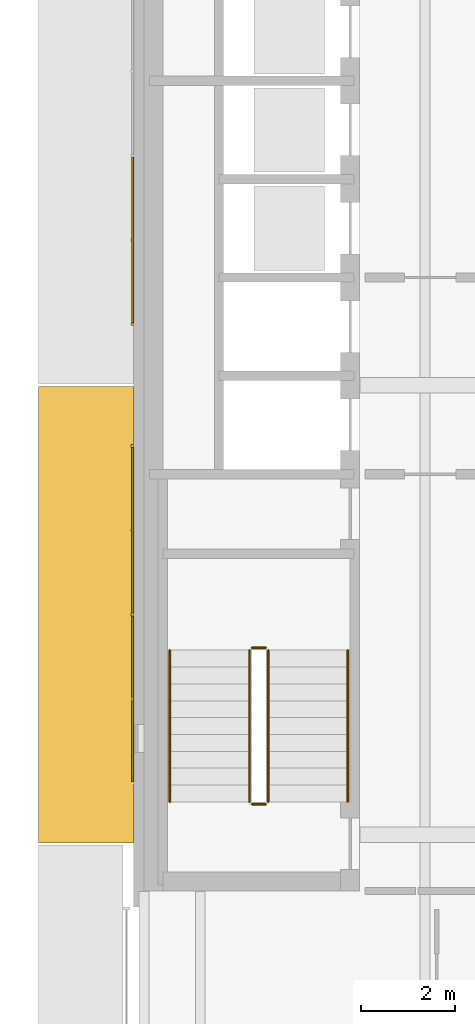
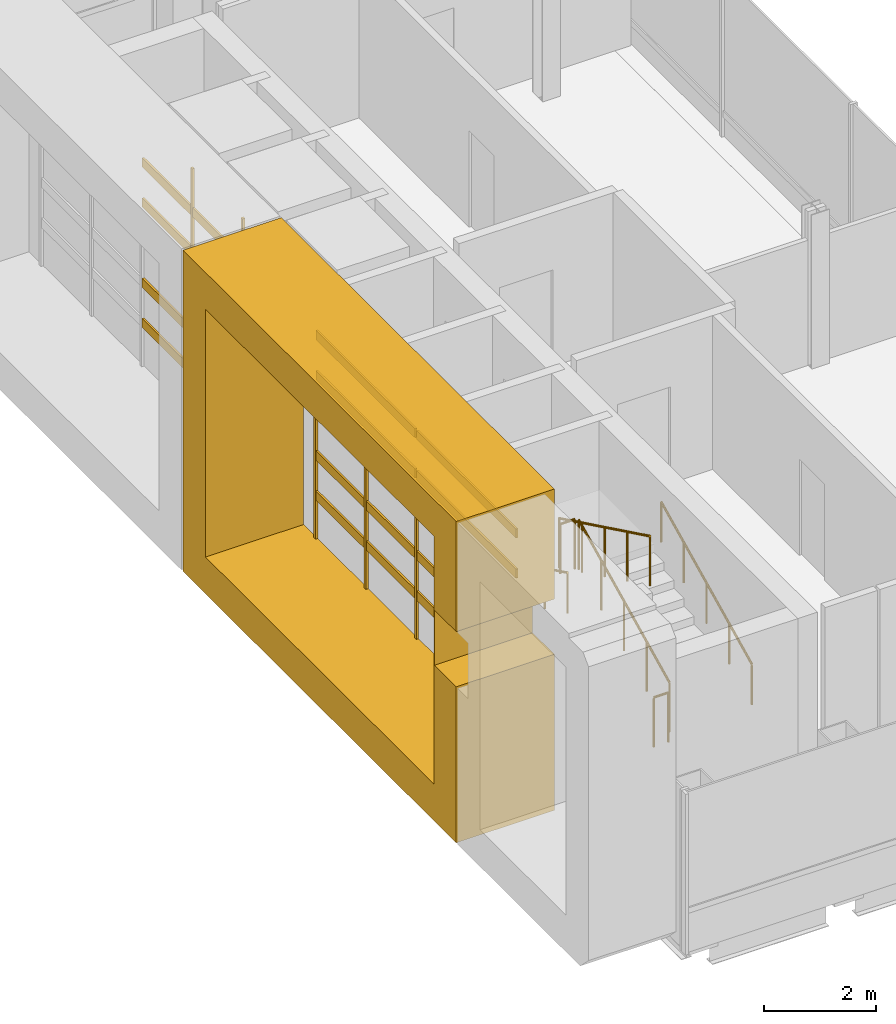
# One storey, part 15 of 21: 18 coverings, 6 railings.
"""IFC4 building model written with IfcOpenShell, lengths in metres."""

import ifcopenshell
import ifcopenshell.guid

model = None  # the IFC model being written
_history = None  # IfcOwnerHistory: only IFC2X3 demands one
_inside = {}  # id of a spatial element -> (the spatial element, [elements in it])
_under = {}  # id of a project, library or spatial element -> (it, [spatial elements below it])
_declared = {}  # id of a project -> (the project, [libraries it declares])
_typed = {}  # id of a type object -> (the type object, [elements of that type])
_made_of = {}  # id of a material, layer set ... -> (it, [elements and type objects made of it])


def new_model(schema):
    """Start an empty IFC model of exactly this schema.

    Asked for "IFC4X3", IfcOpenShell would pick the latest addendum, in which some entities
    have other attributes; the version numbers below select the first issue.
    IFC2X3 requires an IfcOwnerHistory on every rooted entity: one is made here for all.
    """
    global model, _history
    if schema == "IFC4X3":
        model = ifcopenshell.file(schema_version=(4, 3, 0, 0))
    else:
        model = ifcopenshell.file(schema=schema)
    _inside.clear()
    _under.clear()
    _declared.clear()
    _typed.clear()
    _made_of.clear()
    _history = None
    if model.schema == "IFC2X3":
        org = make("IfcOrganization", Name="unknown")
        user = make(
            "IfcPersonAndOrganization",
            ThePerson=make("IfcPerson", FamilyName="unknown"),
            TheOrganization=org,
        )
        app = make(
            "IfcApplication",
            ApplicationDeveloper=org,
            Version="unknown",
            ApplicationFullName="unknown",
            ApplicationIdentifier="unknown",
        )
        _history = make(
            "IfcOwnerHistory",
            OwningUser=user,
            OwningApplication=app,
            ChangeAction="ADDED",
            CreationDate=0,
        )
    return model


def make(cls, **values):
    """One entity of the class cls with the attributes given. An attribute that is None is left unset."""
    return model.create_entity(
        cls, **{name: value for name, value in values.items() if value is not None}
    )


def rooted(cls, **values):
    """An entity with a GlobalId (a new one), such as an element, a storey or a relation."""
    return make(cls, GlobalId=ifcopenshell.guid.new(), OwnerHistory=_history, **values)


def si_unit(unit_type, name, prefix=None):
    """IfcSIUnit, for example si_unit("LENGTHUNIT", "METRE", prefix="MILLI")."""
    return make("IfcSIUnit", UnitType=unit_type, Prefix=prefix, Name=name)


def assignment(units):
    """IfcUnitAssignment: the units of a project."""
    return None if units is None else make("IfcUnitAssignment", Units=units)


def point(xyz):
    """IfcCartesianPoint."""
    return None if xyz is None else make("IfcCartesianPoint", Coordinates=xyz)


def direction(xyz):
    """IfcDirection."""
    return None if xyz is None else make("IfcDirection", DirectionRatios=xyz)


def frame(location, z_axis=None, x_axis=None):
    """IfcAxis2Placement3D, a coordinate frame: its origin and axes. An axis left out is left unset."""
    return make(
        "IfcAxis2Placement3D",
        Location=point(location),
        Axis=direction(z_axis),
        RefDirection=direction(x_axis),
    )


def frame_2d(location, x_axis=None):
    """IfcAxis2Placement2D, a coordinate frame in the plane: its origin and x axis."""
    return make(
        "IfcAxis2Placement2D", Location=point(location), RefDirection=direction(x_axis)
    )


def origin():
    """The frame at (0, 0, 0) with its axes left unset."""
    return frame((0.0, 0.0, 0.0))


def origin_2d():
    """The frame at (0, 0) in the plane with its x axis left unset."""
    return frame_2d((0.0, 0.0))


def place(relative_to, where):
    """IfcLocalPlacement: puts the frame where relative to a parent placement (None: the world)."""
    return make(
        "IfcLocalPlacement", PlacementRelTo=relative_to, RelativePlacement=where
    )


def context(
    kind, dimensions, precision=None, world=None, true_north=None, identifier=None
):
    """IfcGeometricRepresentationContext, for example the 3D "Model" context."""
    return make(
        "IfcGeometricRepresentationContext",
        ContextIdentifier=identifier,
        ContextType=kind,
        CoordinateSpaceDimension=dimensions,
        Precision=precision,
        WorldCoordinateSystem=world,
        TrueNorth=true_north,
    )


def subcontext(parent, identifier, kind, view, scale=None):
    """IfcGeometricRepresentationSubContext, for example "Body" below "Model"."""
    return make(
        "IfcGeometricRepresentationSubContext",
        ContextIdentifier=identifier,
        ContextType=kind,
        ParentContext=parent,
        TargetScale=scale,
        TargetView=view,
    )


def project(units=None, contexts=None):
    """IfcProject with its units and contexts."""
    return rooted(
        "IfcProject",
        Name="project",
        RepresentationContexts=contexts,
        UnitsInContext=assignment(units),
    )


def spatial(cls, under=None, at=None, **own):
    """A site, building, storey or space (cls), placed at a placement, below another one or the project."""
    s = rooted(cls, ObjectPlacement=at, **own)
    if under is not None:
        _under.setdefault(under.id(), (under, []))[1].append(s)
    return s


def polyline(points):
    """IfcPolyline through the points."""
    return make("IfcPolyline", Points=[point(p) for p in points])


def profile(cls, at=None, kind="AREA", **sizes):
    """A parametric profile (cls). Its sizes go by their IFC names, for example OverallWidth=200.0."""
    return make(cls, ProfileType=kind, Position=at, **sizes)


def rectangle(**sizes):
    """IfcRectangleProfileDef."""
    return profile("IfcRectangleProfileDef", **sizes)


def circle(**sizes):
    """IfcCircleProfileDef."""
    return profile("IfcCircleProfileDef", **sizes)


def outline(outer, holes=None, kind="AREA"):
    """IfcArbitraryClosedProfileDef: a profile drawn as a closed curve; with holes, ...WithVoids."""
    if holes is None:
        return make("IfcArbitraryClosedProfileDef", ProfileType=kind, OuterCurve=outer)
    return make(
        "IfcArbitraryProfileDefWithVoids",
        ProfileType=kind,
        OuterCurve=outer,
        InnerCurves=holes,
    )


def extrude(swept, where, along, depth):
    """IfcExtrudedAreaSolid: the profile swept, set in the frame where, extruded along a direction by depth."""
    return make(
        "IfcExtrudedAreaSolid",
        SweptArea=swept,
        Position=where,
        ExtrudedDirection=direction(along),
        Depth=depth,
    )


def shape(context_of_items, identifier, shape_type, items):
    """IfcShapeRepresentation: the items that make up one representation, for example the "Body"."""
    return make(
        "IfcShapeRepresentation",
        ContextOfItems=context_of_items,
        RepresentationIdentifier=identifier,
        RepresentationType=shape_type,
        Items=items,
    )


def material(Name=None, Category=None):
    """IfcMaterial."""
    return make("IfcMaterial", Name=Name, Category=Category)


def made_of(thing, what):
    """Note that an element or type object is made of a material, layer set ...; save() writes the relation."""
    if what is not None:
        _made_of.setdefault(what.id(), (what, []))[1].append(thing)
    return thing


def type_object(cls, material=None, **own):
    """A type object (cls), such as IfcWallType, which elements share."""
    return made_of(rooted(cls, **own), material)


def element(
    cls,
    number,
    at=None,
    inside=None,
    cuts=None,
    type_object=None,
    material=None,
    context=None,
    identifier="Body",
    shape_type=None,
    held_by="IfcProductDefinitionShape",
    body=None,
    shapes=None,
    **own,
):
    """One element of the class cls, such as IfcWall. Its Tag is "e" and its number.

    at: its placement. inside: the storey or other place that contains it. cuts: it is an
    opening in that element (IfcRelVoidsElement). A single representation is given by context,
    identifier, shape_type and body (its items); several are given by shapes. held_by: the class
    of the entity that holds the representations. save() writes the other relations.
    """
    e = rooted(cls, Tag="e%d" % number, ObjectPlacement=at, **own)
    if body is not None:
        shapes = [shape(context, identifier, shape_type, body)]
    if shapes is not None:
        e.Representation = make(held_by, Representations=shapes)
    if inside is not None:
        _inside.setdefault(inside.id(), (inside, []))[1].append(e)
    if cuts is not None:
        rooted(
            "IfcRelVoidsElement", RelatingBuildingElement=cuts, RelatedOpeningElement=e
        )
    if type_object is not None:
        _typed.setdefault(type_object.id(), (type_object, []))[1].append(e)
    return made_of(e, material)


def aggregate(whole, parts):
    """IfcRelAggregates: a whole, such as a stair, and the parts it consists of."""
    return rooted("IfcRelAggregates", RelatingObject=whole, RelatedObjects=parts)


def save(model, path):
    """Write the relations noted so far, then the file.

    IfcRelAggregates (storeys below a building ...), IfcRelContainedInSpatialStructure (elements
    in a storey), IfcRelDefinesByType, IfcRelAssociatesMaterial and IfcRelDeclares: one each for
    every whole, place, type object, material and project.
    """
    for whole, parts in _under.values():
        aggregate(whole, parts)
    for where, things in _inside.values():
        rooted(
            "IfcRelContainedInSpatialStructure",
            RelatedElements=things,
            RelatingStructure=where,
        )
    for kind, things in _typed.values():
        rooted("IfcRelDefinesByType", RelatedObjects=things, RelatingType=kind)
    for what, things in _made_of.values():
        rooted("IfcRelAssociatesMaterial", RelatedObjects=things, RelatingMaterial=what)
    for by, libraries in _declared.values():
        rooted("IfcRelDeclares", RelatingContext=by, RelatedDefinitions=libraries)
    model.write(path)


model = new_model("IFC4")

# Units and contexts
model_context = context("Model", 3, precision=1e-05, world=origin(), true_north=direction((0.0, 1.0)))
body_context = subcontext(model_context, "Body", "Model", "MODEL_VIEW")
ifc_project = project(units=[si_unit("LENGTHUNIT", "METRE"), si_unit("AREAUNIT", "SQUARE_METRE"), si_unit("VOLUMEUNIT", "CUBIC_METRE"), si_unit("PLANEANGLEUNIT", "RADIAN"), si_unit("MASSUNIT", "GRAM", prefix="KILO")], contexts=[model_context])

# Site, building, storey
site_placement = place(None, origin())
site = spatial("IfcSite", under=ifc_project, at=site_placement, CompositionType="ELEMENT")
building_placement = place(site_placement, origin())
building = spatial("IfcBuilding", under=site, at=building_placement, Name="Cobrizo Arcos Hotel Tower", CompositionType="ELEMENT")
storey_placement = place(building_placement, frame((0.0, 0.0, 269.0)))
storey = spatial("IfcBuildingStorey", under=building, at=storey_placement, Name="L71", CompositionType="ELEMENT", Elevation=269.0)

# Coverings
ifc_material_1 = material(Name="Aluminium 6063-T6 anodised bronze", Category="aluminium")
covering_type_1 = type_object("IfcCoveringType", Name="FIN-F 2025", PredefinedType="CLADDING", material=ifc_material_1)
covering_placement = place(storey_placement, frame((-20.625, -0.02490234375, 0.0), z_axis=(-1.0, 0.0, 0.0), x_axis=(0.0, -1.0, 0.0)))
element("IfcCovering", 1, at=covering_placement, inside=storey, type_object=covering_type_1, Name="Fin frame 441", PredefinedType="CLADDING", context=body_context, shape_type="SweptSolid", body=[
    extrude(outline(polyline([(9.75, 0.0), (9.75, 3.39794921875), (8.972900390625, 3.39794921875), (8.972900390625, 4.60205078125), (9.75, 4.60205078125), (9.75, 7.0), (0.0, 7.0), (0.0, 0.0), (9.75, 0.0)]), holes=[polyline([(8.949951171875, 0.800048828125), (0.800048828125, 0.800048828125), (0.800048828125, 6.199951171875), (8.949951171875, 6.199951171875), (8.949951171875, 0.800048828125)])]), origin(), (0.0, 0.0, 1.0), 2.02490234375),
])
ifc_material_2 = material(Name="Aluminium 6063-T6 anodised pale", Category="aluminium")
covering_type_2 = type_object("IfcCoveringType", Name="RS-2 rainscreen rib 60x50", PredefinedType="CLADDING", material=ifc_material_2)
for number, where, z_axis, x_axis, name in (
    (2, (-20.64990234375, 3.10009765625, 0.800048828125), (0.0, 0.0, 1.0), (0.0, -1.0, 0.0), "Rainscreen rib 354"),
    (3, (-20.64990234375, 1.300048828125, 0.800048828125), (0.0, 0.0, 1.0), (0.0, -1.0, 0.0), "Rainscreen rib 355"),
    (4, (-20.64990234375, -1.300048828125, 0.800048828125), (0.0, 0.0, 1.0), (0.0, -1.0, 0.0), "Rainscreen rib 356"),
    (5, (-20.64990234375, -3.10009765625, 0.800048828125), (0.0, 0.0, 1.0), (0.0, -1.0, 0.0), "Rainscreen rib 357"),
    (6, (-20.64990234375, -4.89990234375, 0.800048828125), (0.0, 0.0, 1.0), (0.0, -1.0, 0.0), "Rainscreen rib 358"),
):
    element("IfcCovering", number, at=place(storey_placement, frame(where, z_axis=z_axis, x_axis=x_axis)), inside=storey, type_object=covering_type_2, Name=name, PredefinedType="CLADDING", context=body_context, shape_type="SweptSolid", body=[
        extrude(rectangle(XDim=0.06005859375, YDim=0.050048828125, at=origin_2d()), origin(), (0.0, 0.0, 1.0), 5.39990234375),
    ])
covering_type_3 = type_object("IfcCoveringType", Name="RS-3 rainscreen louvre slat 200x40", PredefinedType="CLADDING", material=ifc_material_2)
for number, where, z_axis, x_axis, name in (
    (7, (-20.64501953125, 3.10009765625, 1.64990234375), (0.0, 0.0, 1.0), (0.0, -1.0, 0.0), "Rainscreen slat 231"),
    (8, (-20.64501953125, 3.10009765625, 2.52490234375), (0.0, 0.0, 1.0), (0.0, -1.0, 0.0), "Rainscreen slat 232"),
    (9, (-20.64501953125, 3.10009765625, 4.27490234375), (0.0, 0.0, 1.0), (0.0, -1.0, 0.0), "Rainscreen slat 235"),
    (10, (-20.64501953125, 3.10009765625, 5.14990234375), (0.0, 0.0, 1.0), (0.0, -1.0, 0.0), "Rainscreen slat 236"),
    (11, (-20.64501953125, -3.10009765625, 1.64990234375), (0.0, 0.0, 1.0), (0.0, -1.0, 0.0), "Rainscreen slat 237"),
    (12, (-20.64501953125, -3.10009765625, 2.52490234375), (0.0, 0.0, 1.0), (0.0, -1.0, 0.0), "Rainscreen slat 238"),
    (13, (-20.64501953125, -6.699951171875, 1.64990234375), (0.0, 0.0, 1.0), (0.0, -1.0, 0.0), "Rainscreen slat 239"),
    (14, (-20.64501953125, -6.699951171875, 2.52490234375), (0.0, 0.0, 1.0), (0.0, -1.0, 0.0), "Rainscreen slat 240"),
    (15, (-20.64501953125, -3.10009765625, 4.27490234375), (0.0, 0.0, 1.0), (0.0, -1.0, 0.0), "Rainscreen slat 241"),
    (16, (-20.64501953125, -3.10009765625, 5.14990234375), (0.0, 0.0, 1.0), (0.0, -1.0, 0.0), "Rainscreen slat 242"),
    (17, (-20.64501953125, -6.699951171875, 4.27490234375), (0.0, 0.0, 1.0), (0.0, -1.0, 0.0), "Rainscreen slat 243"),
    (18, (-20.64501953125, -6.699951171875, 5.14990234375), (0.0, 0.0, 1.0), (0.0, -1.0, 0.0), "Rainscreen slat 244"),
):
    element("IfcCovering", number, at=place(storey_placement, frame(where, z_axis=z_axis, x_axis=x_axis)), inside=storey, type_object=covering_type_3, Name=name, PredefinedType="CLADDING", context=body_context, shape_type="SweptSolid", body=[
        extrude(rectangle(XDim=3.5400390625, YDim=0.0400390625, at=origin_2d()), origin(), (0.0, 0.0, 1.0), 0.199951171875),
    ])

# Railings
ifc_material_3 = material(Name="Stainless steel railing", Category="steel")
railing_type_1 = type_object("IfcRailingType", Name="Stair guard 1100", PredefinedType="GUARDRAIL", material=ifc_material_3)
railing_1_placement = place(storey_placement, frame((-17.75, -8.89990234375, 0.175048828125)))
element("IfcRailing", 19, at=railing_1_placement, inside=storey, type_object=railing_type_1, Name="L71 ST-W stair guard 1", PredefinedType="GUARDRAIL", context=body_context, shape_type="SweptSolid", body=[
    extrude(circle(Radius=0.02392578125, at=origin_2d()), frame((0.0, 0.0, 1.076171875), z_axis=(0.0, 0.899372665325, 0.437182809435), x_axis=(-1.0, 0.0, 0.0)), (0.0, 0.0, 1.0), 3.6025390625),
    extrude(circle(Radius=0.02099609375, at=origin_2d()), origin(), (0.0, 0.0, 1.0), 1.052001953125),
    extrude(circle(Radius=0.02099609375, at=origin_2d()), frame((0.0, 0.81005859375, 0.393798828125)), (0.0, 0.0, 1.0), 1.052001953125),
    extrude(circle(Radius=0.02099609375, at=origin_2d()), frame((0.0, 1.6201171875, 0.78759765625)), (0.0, 0.0, 1.0), 1.052001953125),
    extrude(circle(Radius=0.02099609375, at=origin_2d()), frame((0.0, 2.429931640625, 1.18115234375)), (0.0, 0.0, 1.0), 1.052001953125),
    extrude(circle(Radius=0.02099609375, at=origin_2d()), frame((0.0, 3.239990234375, 1.574951171875)), (0.0, 0.0, 1.0), 1.052001953125),
])
railing_2_placement = place(storey_placement, frame((-17.800048828125, -5.610107421875, 1.75)))
element("IfcRailing", 20, at=railing_2_placement, inside=storey, type_object=railing_type_1, Name="L71 ST-W stair guard 2", PredefinedType="GUARDRAIL", context=body_context, shape_type="SweptSolid", body=[
    extrude(circle(Radius=0.02392578125, at=origin_2d()), frame((0.0, 0.0, 1.076171875), z_axis=(-1.0, 0.0, 0.0), x_axis=(0.0, -1.0, 0.0)), (0.0, 0.0, 1.0), 0.300048828125),
    extrude(circle(Radius=0.02099609375, at=origin_2d()), origin(), (0.0, 0.0, 1.0), 1.052001953125),
    extrude(circle(Radius=0.02099609375, at=origin_2d()), frame((-0.300048828125, 0.0, 0.0)), (0.0, 0.0, 1.0), 1.052001953125),
])
railing_3_placement = place(storey_placement, frame((-18.14990234375, -5.659912109375, 1.925048828125)))
element("IfcRailing", 21, at=railing_3_placement, inside=storey, type_object=railing_type_1, Name="L71 ST-W stair guard 3", PredefinedType="GUARDRAIL", context=body_context, shape_type="SweptSolid", body=[
    extrude(circle(Radius=0.02392578125, at=origin_2d()), frame((0.0, 0.0, 1.076171875), z_axis=(0.0, -0.899372665325, 0.437182809435), x_axis=(1.0, 0.0, 0.0)), (0.0, 0.0, 1.0), 3.6025390625),
    extrude(circle(Radius=0.02099609375, at=origin_2d()), origin(), (0.0, 0.0, 1.0), 1.052001953125),
    extrude(circle(Radius=0.02099609375, at=origin_2d()), frame((0.0, -0.81005859375, 0.393798828125)), (0.0, 0.0, 1.0), 1.052001953125),
    extrude(circle(Radius=0.02099609375, at=origin_2d()), frame((0.0, -1.6201171875, 0.78759765625)), (0.0, 0.0, 1.0), 1.052001953125),
    extrude(circle(Radius=0.02099609375, at=origin_2d()), frame((0.0, -2.429931640625, 1.18115234375)), (0.0, 0.0, 1.0), 1.052001953125),
    extrude(circle(Radius=0.02099609375, at=origin_2d()), frame((0.0, -3.239990234375, 1.574951171875)), (0.0, 0.0, 1.0), 1.052001953125),
])
railing_4_placement = place(storey_placement, frame((-17.800048828125, -8.949951171875, 0.0)))
element("IfcRailing", 22, at=railing_4_placement, inside=storey, type_object=railing_type_1, Name="L71 ST-W stair guard 4", PredefinedType="GUARDRAIL", context=body_context, shape_type="SweptSolid", body=[
    extrude(circle(Radius=0.02392578125, at=origin_2d()), frame((0.0, 0.0, 1.076171875), z_axis=(-1.0, 0.0, 0.0), x_axis=(0.0, -1.0, 0.0)), (0.0, 0.0, 1.0), 0.300048828125),
    extrude(circle(Radius=0.02099609375, at=origin_2d()), origin(), (0.0, 0.0, 1.0), 1.052001953125),
    extrude(circle(Radius=0.02099609375, at=origin_2d()), frame((-0.300048828125, 0.0, 0.0)), (0.0, 0.0, 1.0), 1.052001953125),
])
railing_type_2 = type_object("IfcRailingType", Name="Stair handrail", PredefinedType="HANDRAIL", material=ifc_material_3)
railing_5_placement = place(storey_placement, frame((-16.050048828125, -8.89990234375, 0.175048828125)))
element("IfcRailing", 23, at=railing_5_placement, inside=storey, type_object=railing_type_2, Name="L71 ST-W stair handrail 1", PredefinedType="HANDRAIL", context=body_context, shape_type="SweptSolid", body=[
    extrude(circle(Radius=0.02392578125, at=origin_2d()), frame((0.0, 0.0, 0.8759765625), z_axis=(0.0, 0.899372665325, 0.437182809435), x_axis=(-1.0, 0.0, 0.0)), (0.0, 0.0, 1.0), 3.6025390625),
    extrude(circle(Radius=0.02099609375, at=origin_2d()), origin(), (0.0, 0.0, 1.0), 0.851806640625),
    extrude(circle(Radius=0.02099609375, at=origin_2d()), frame((0.0, 0.81005859375, 0.393798828125)), (0.0, 0.0, 1.0), 0.851806640625),
    extrude(circle(Radius=0.02099609375, at=origin_2d()), frame((0.0, 1.6201171875, 0.78759765625)), (0.0, 0.0, 1.0), 0.851806640625),
    extrude(circle(Radius=0.02099609375, at=origin_2d()), frame((0.0, 2.429931640625, 1.18115234375)), (0.0, 0.0, 1.0), 0.851806640625),
    extrude(circle(Radius=0.02099609375, at=origin_2d()), frame((0.0, 3.239990234375, 1.574951171875)), (0.0, 0.0, 1.0), 0.851806640625),
])
railing_6_placement = place(storey_placement, frame((-19.85009765625, -5.659912109375, 1.925048828125)))
element("IfcRailing", 24, at=railing_6_placement, inside=storey, type_object=railing_type_2, Name="L71 ST-W stair handrail 2", PredefinedType="HANDRAIL", context=body_context, shape_type="SweptSolid", body=[
    extrude(circle(Radius=0.02392578125, at=origin_2d()), frame((0.0, 0.0, 0.8759765625), z_axis=(0.0, -0.899372665325, 0.437182809435), x_axis=(1.0, 0.0, 0.0)), (0.0, 0.0, 1.0), 3.6025390625),
    extrude(circle(Radius=0.02099609375, at=origin_2d()), origin(), (0.0, 0.0, 1.0), 0.851806640625),
    extrude(circle(Radius=0.02099609375, at=origin_2d()), frame((0.0, -0.81005859375, 0.393798828125)), (0.0, 0.0, 1.0), 0.851806640625),
    extrude(circle(Radius=0.02099609375, at=origin_2d()), frame((0.0, -1.6201171875, 0.78759765625)), (0.0, 0.0, 1.0), 0.851806640625),
    extrude(circle(Radius=0.02099609375, at=origin_2d()), frame((0.0, -2.429931640625, 1.18115234375)), (0.0, 0.0, 1.0), 0.851806640625),
    extrude(circle(Radius=0.02099609375, at=origin_2d()), frame((0.0, -3.239990234375, 1.574951171875)), (0.0, 0.0, 1.0), 0.851806640625),
])

save(model, "model.ifc")
